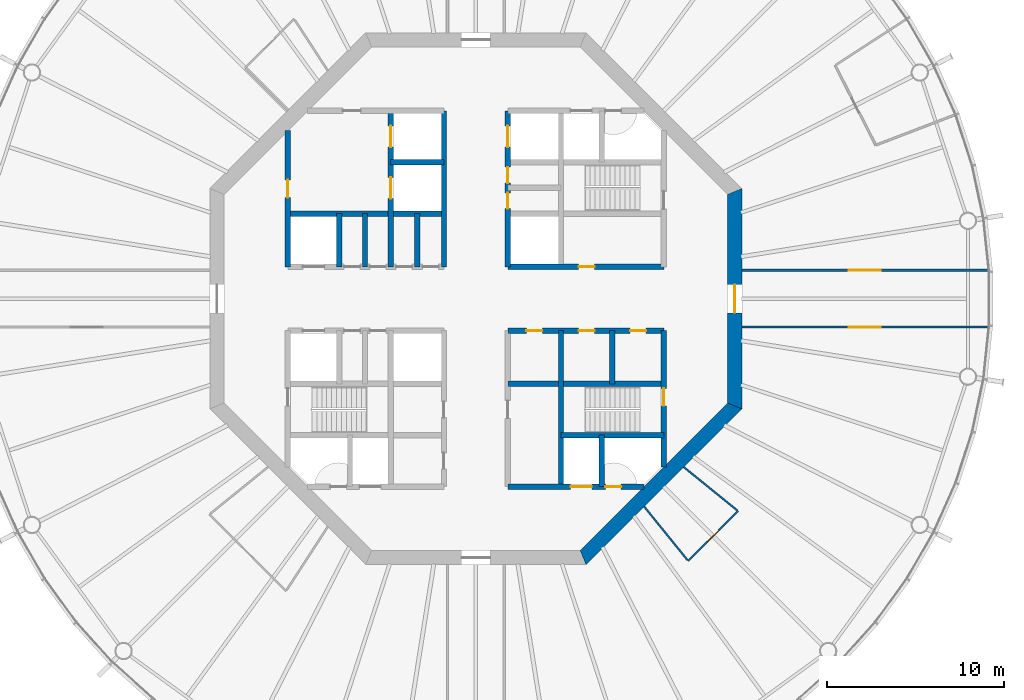
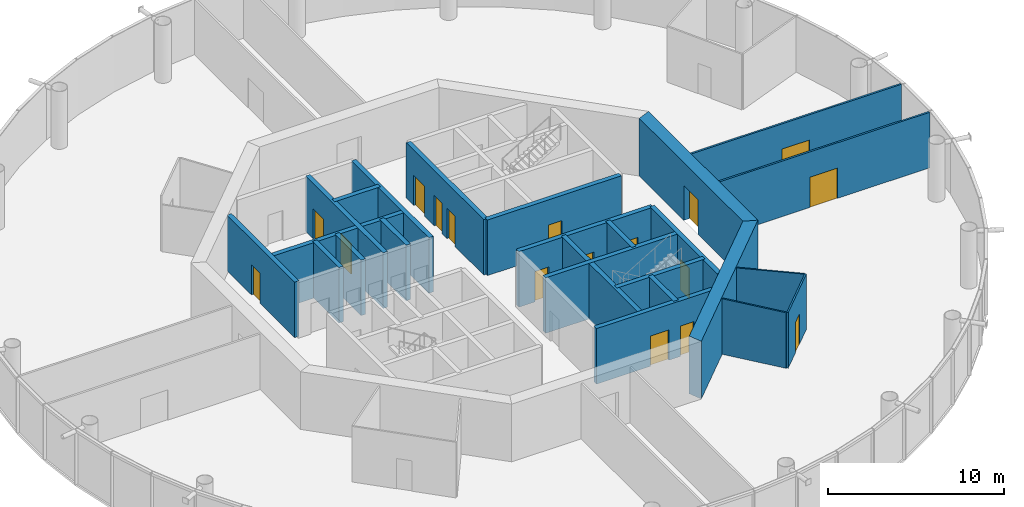
# One storey, part 4 of 16: 25 walls, 17 doors, 17 openings.
"""IFC4 building model written with IfcOpenShell, lengths in metres."""

from ifc_helpers import new_model, si_unit, direction, frame, frame_2d, origin, place, context, subcontext, project, spatial, polyline, rectangle, outline, extrude, material, layer, layer_set, type_object, element, fill, save


model = new_model("IFC4")

# Units and contexts
model_context = context("Model", 3, precision=1e-05, world=origin(), true_north=direction((0.0, 1.0)))
body_context = subcontext(model_context, "Body", "Model", "MODEL_VIEW")
ifc_project = project(units=[si_unit("LENGTHUNIT", "METRE"), si_unit("AREAUNIT", "SQUARE_METRE"), si_unit("VOLUMEUNIT", "CUBIC_METRE"), si_unit("PLANEANGLEUNIT", "RADIAN"), si_unit("MASSUNIT", "GRAM", prefix="KILO")], contexts=[model_context])

# Site, building, storey
site_placement = place(None, origin())
site = spatial("IfcSite", under=ifc_project, at=site_placement, CompositionType="ELEMENT")
building_placement = place(site_placement, origin())
building = spatial("IfcBuilding", under=site, at=building_placement, Name="Entoto Ring Tower", CompositionType="ELEMENT")
storey_placement = place(building_placement, frame((0.0, 0.0, 326.0)))
storey = spatial("IfcBuildingStorey", under=building, at=storey_placement, Name="L75", CompositionType="ELEMENT", Elevation=326.0)

# Wall, opening, door
ifc_material_1 = material(Name="Concrete C40/50", Category="concrete")
ifc_layer_1 = layer(ifc_material_1, 0.300048828125)
ifc_layer_set_1 = layer_set([ifc_layer_1], Name="Concrete C40/50")
wall_type_1 = type_object("IfcWallType", Name="Core enclosure wall 300 mm reinforced concrete", PredefinedType="SOLIDWALL", material=ifc_layer_set_1)
wall_1_placement = place(storey_placement, frame((100.60009765625, 70.518310546875, 0.0), z_axis=(0.0, 0.0, 1.0), x_axis=(0.0, 1.0, 0.0)))
wall_1 = element("IfcWall", 1, at=wall_1_placement, inside=storey, type_object=wall_type_1, Name="wall-L75-001", PredefinedType="SOLIDWALL", context=body_context, shape_type="SweptSolid", body=[
    extrude(rectangle(XDim=7.681640625, YDim=0.300048828125, at=frame_2d((3.8408203125, 0.0))), origin(), (0.0, 0.0, 1.0), 3.85009765625),
])
opening_1_placement = place(wall_1_placement, frame((3.431884765625, 0.0, 0.0)))
opening_1 = element("IfcOpeningElement", 2, at=opening_1_placement, cuts=wall_1, Name="Opening K-28", PredefinedType="OPENING", context=body_context, shape_type="SweptSolid", body=[
    extrude(rectangle(XDim=1.0, YDim=2.10009765625, at=frame_2d((0.5, 1.050048828125))), frame((0.0, 0.16015625, 0.0), z_axis=(0.0, -1.0, 0.0), x_axis=(1.0, 0.0, 0.0)), (0.0, 0.0, 1.0), 0.320068359375),
])
ifc_material_2 = material(Name="Steel door leaf, fire rated", Category="steel")
ifc_layer_2 = layer(ifc_material_2, 0.050048828125)
ifc_layer_set_2 = layer_set([ifc_layer_2], Name="Steel door leaf, fire rated")
door_type_1 = type_object("IfcDoorType", Name="Fire door FD60 1000 x 2100 single leaf", OperationType="NOTDEFINED", PredefinedType="DOOR", material=ifc_layer_set_2)
door_1_placement = place(opening_1_placement, origin())
door_1 = element("IfcDoor", 3, at=door_1_placement, inside=storey, type_object=door_type_1, Name="Door K-28", OperationType="SINGLE_SWING_RIGHT", OverallHeight=2.10009765625, OverallWidth=1.0, PredefinedType="DOOR", context=body_context, shape_type="SweptSolid", body=[
    extrude(rectangle(XDim=1.0, YDim=2.10009765625, at=frame_2d((0.5, 1.050048828125))), frame((0.0, 0.02490234375, 0.0), z_axis=(0.0, -1.0, 0.0), x_axis=(1.0, 0.0, 0.0)), (0.0, 0.0, 1.0), 0.050048828125),
])
fill(opening_1, door_1)

# Walls
wall_2_placement = place(storey_placement, frame((97.699951171875, 75.199951171875, 0.0), z_axis=(0.0, 0.0, 1.0), x_axis=(0.0, 1.0, 0.0)))
element("IfcWall", 4, at=wall_2_placement, inside=storey, type_object=wall_type_1, Name="wall-L75-003", PredefinedType="SOLIDWALL", context=body_context, shape_type="SweptSolid", body=[
    extrude(rectangle(XDim=3.0, YDim=0.300048828125, at=frame_2d((1.5, 0.0))), origin(), (0.0, 0.0, 1.0), 3.85009765625),
])
wall_3_placement = place(storey_placement, frame((97.10009765625, 69.39990234375, 0.0), z_axis=(0.0, 0.0, 1.0), x_axis=(0.0, 1.0, 0.0)))
element("IfcWall", 5, at=wall_3_placement, inside=storey, type_object=wall_type_1, Name="wall-L75-004", PredefinedType="SOLIDWALL", context=body_context, shape_type="SweptSolid", body=[
    extrude(rectangle(XDim=2.900146484375, YDim=0.300048828125, at=frame_2d((1.4501953125, 0.0))), origin(), (0.0, 0.0, 1.0), 3.85009765625),
])
wall_4_placement = place(storey_placement, frame((94.800048828125, 69.39990234375, 0.0), z_axis=(0.0, 0.0, 1.0), x_axis=(0.0, 1.0, 0.0)))
element("IfcWall", 6, at=wall_4_placement, inside=storey, type_object=wall_type_1, Name="wall-L75-006", PredefinedType="SOLIDWALL", context=body_context, shape_type="SweptSolid", body=[
    extrude(rectangle(XDim=8.800048828125, YDim=0.300048828125, at=frame_2d((4.39990234375, 0.0))), origin(), (0.0, 0.0, 1.0), 3.85009765625),
])

# Wall, openings, doors
wall_5_placement = place(storey_placement, frame((91.800048828125, 81.800048828125, 0.0), z_axis=(0.0, 0.0, 1.0), x_axis=(0.0, 1.0, 0.0)))
wall_5 = element("IfcWall", 7, at=wall_5_placement, inside=storey, type_object=wall_type_1, Name="wall-L75-009", PredefinedType="SOLIDWALL", context=body_context, shape_type="SweptSolid", body=[
    extrude(rectangle(XDim=8.800048828125, YDim=0.300048828125, at=frame_2d((4.39990234375, 0.0))), origin(), (0.0, 0.0, 1.0), 3.85009765625),
])
opening_2_placement = place(wall_5_placement, frame((6.75, 0.0, 0.0)))
opening_2 = element("IfcOpeningElement", 8, at=opening_2_placement, cuts=wall_5, Name="Opening LD", PredefinedType="OPENING", context=body_context, shape_type="SweptSolid", body=[
    extrude(rectangle(XDim=1.199951171875, YDim=2.10009765625, at=frame_2d((0.60009765625, 1.050048828125))), frame((0.0, 0.16015625, 0.0), z_axis=(0.0, -1.0, 0.0), x_axis=(1.0, 0.0, 0.0)), (0.0, 0.0, 1.0), 0.320068359375),
])
opening_3_placement = place(wall_5_placement, frame((3.27490234375, 0.0, 0.0)))
opening_3 = element("IfcOpeningElement", 9, at=opening_3_placement, cuts=wall_5, Name="Opening K-18", PredefinedType="OPENING", context=body_context, shape_type="SweptSolid", body=[
    extrude(rectangle(XDim=0.89990234375, YDim=2.10009765625, at=frame_2d((0.449951171875, 1.050048828125))), frame((0.0, 0.16015625, 0.0), z_axis=(0.0, -1.0, 0.0), x_axis=(1.0, 0.0, 0.0)), (0.0, 0.0, 1.0), 0.320068359375),
])
opening_4_placement = place(wall_5_placement, frame((4.72509765625, 0.0, 0.0)))
opening_4 = element("IfcOpeningElement", 10, at=opening_4_placement, cuts=wall_5, Name="Opening K-19", PredefinedType="OPENING", context=body_context, shape_type="SweptSolid", body=[
    extrude(rectangle(XDim=0.89990234375, YDim=2.10009765625, at=frame_2d((0.449951171875, 1.050048828125))), frame((0.0, 0.16015625, 0.0), z_axis=(0.0, -1.0, 0.0), x_axis=(1.0, 0.0, 0.0)), (0.0, 0.0, 1.0), 0.320068359375),
])
ifc_material_3 = material(Name="Steel door leaf, fire rated", Category="steel")
ifc_layer_3 = layer(ifc_material_3, 0.050048828125)
ifc_layer_set_3 = layer_set([ifc_layer_3], Name="Steel door leaf, fire rated")
door_type_2 = type_object("IfcDoorType", Name="Core door 900 x 2100 single leaf", OperationType="NOTDEFINED", PredefinedType="DOOR", material=ifc_layer_set_3)
door_2_placement = place(opening_3_placement, frame((0.89990234375, 0.0, 0.0), z_axis=(0.0, 0.0, 1.0), x_axis=(-1.0, 0.0, 0.0)))
door_2 = element("IfcDoor", 11, at=door_2_placement, inside=storey, type_object=door_type_2, Name="Door K-18", OperationType="SINGLE_SWING_LEFT", OverallHeight=2.10009765625, OverallWidth=0.89990234375, PredefinedType="DOOR", context=body_context, shape_type="SweptSolid", body=[
    extrude(rectangle(XDim=0.89990234375, YDim=2.10009765625, at=frame_2d((0.449951171875, 1.050048828125))), frame((0.0, 0.02490234375, 0.0), z_axis=(0.0, -1.0, 0.0), x_axis=(1.0, 0.0, 0.0)), (0.0, 0.0, 1.0), 0.050048828125),
])
fill(opening_3, door_2)
door_3_placement = place(opening_4_placement, frame((0.89990234375, 0.0, 0.0), z_axis=(0.0, 0.0, 1.0), x_axis=(-1.0, 0.0, 0.0)))
door_3 = element("IfcDoor", 12, at=door_3_placement, inside=storey, type_object=door_type_2, Name="Door K-19", OperationType="SINGLE_SWING_RIGHT", OverallHeight=2.10009765625, OverallWidth=0.89990234375, PredefinedType="DOOR", context=body_context, shape_type="SweptSolid", body=[
    extrude(rectangle(XDim=0.89990234375, YDim=2.10009765625, at=frame_2d((0.449951171875, 1.050048828125))), frame((0.0, 0.02490234375, 0.0), z_axis=(0.0, -1.0, 0.0), x_axis=(1.0, 0.0, 0.0)), (0.0, 0.0, 1.0), 0.050048828125),
])
fill(opening_4, door_3)
ifc_material_4 = material(Name="Steel and glass door leaf", Category="steel")
ifc_layer_4 = layer(ifc_material_4, 0.050048828125)
ifc_layer_set_4 = layer_set([ifc_layer_4], Name="Steel and glass door leaf")
door_type_3 = type_object("IfcDoorType", Name="Landing door 1200 x 2100 sliding", OperationType="DOUBLE_DOOR_SLIDING", PredefinedType="DOOR", material=ifc_layer_set_4)
door_4_placement = place(opening_2_placement, origin())
door_4 = element("IfcDoor", 13, at=door_4_placement, inside=storey, type_object=door_type_3, Name="Landing door SH3", OperationType="SLIDING_TO_RIGHT", OverallHeight=2.10009765625, OverallWidth=1.199951171875, PredefinedType="DOOR", context=body_context, shape_type="SweptSolid", body=[
    extrude(rectangle(XDim=1.199951171875, YDim=2.10009765625, at=frame_2d((0.60009765625, 1.050048828125))), frame((0.0, 0.02490234375, 0.0), z_axis=(0.0, -1.0, 0.0), x_axis=(1.0, 0.0, 0.0)), (0.0, 0.0, 1.0), 0.050048828125),
])
fill(opening_2, door_4)

# Walls
wall_6_placement = place(storey_placement, frame((88.199951171875, 81.800048828125, 0.0), z_axis=(0.0, 0.0, 1.0), x_axis=(0.0, 1.0, 0.0)))
element("IfcWall", 14, at=wall_6_placement, inside=storey, type_object=wall_type_1, Name="wall-L75-011", PredefinedType="SOLIDWALL", context=body_context, shape_type="SweptSolid", body=[
    extrude(rectangle(XDim=8.800048828125, YDim=0.300048828125, at=frame_2d((4.39990234375, 0.0))), origin(), (0.0, 0.0, 1.0), 3.85009765625),
])
wall_7_placement = place(storey_placement, frame((86.699951171875, 81.800048828125, 0.0), z_axis=(0.0, 0.0, 1.0), x_axis=(0.0, 1.0, 0.0)))
element("IfcWall", 15, at=wall_7_placement, inside=storey, type_object=wall_type_1, Name="wall-L75-012", PredefinedType="SOLIDWALL", context=body_context, shape_type="SweptSolid", body=[
    extrude(rectangle(XDim=3.0, YDim=0.300048828125, at=frame_2d((1.5, 0.0))), origin(), (0.0, 0.0, 1.0), 3.85009765625),
])

# Wall, openings, doors
wall_8_placement = place(storey_placement, frame((85.199951171875, 81.800048828125, 0.0), z_axis=(0.0, 0.0, 1.0), x_axis=(0.0, 1.0, 0.0)))
wall_8 = element("IfcWall", 16, at=wall_8_placement, inside=storey, type_object=wall_type_1, Name="wall-L75-014", PredefinedType="SOLIDWALL", context=body_context, shape_type="SweptSolid", body=[
    extrude(rectangle(XDim=8.800048828125, YDim=0.300048828125, at=frame_2d((4.39990234375, 0.0))), origin(), (0.0, 0.0, 1.0), 3.85009765625),
])
opening_5_placement = place(wall_8_placement, frame((3.85009765625, 0.0, 0.0)))
opening_5 = element("IfcOpeningElement", 17, at=opening_5_placement, cuts=wall_8, Name="Opening LD", PredefinedType="OPENING", context=body_context, shape_type="SweptSolid", body=[
    extrude(rectangle(XDim=1.199951171875, YDim=2.10009765625, at=frame_2d((0.60009765625, 1.050048828125))), frame((0.0, 0.16015625, 0.0), z_axis=(0.0, -1.0, 0.0), x_axis=(1.0, 0.0, 0.0)), (0.0, 0.0, 1.0), 0.320068359375),
])
opening_6_placement = place(wall_8_placement, frame((6.75, 0.0, 0.0)))
opening_6 = element("IfcOpeningElement", 18, at=opening_6_placement, cuts=wall_8, Name="Opening LD", PredefinedType="OPENING", context=body_context, shape_type="SweptSolid", body=[
    extrude(rectangle(XDim=1.199951171875, YDim=2.10009765625, at=frame_2d((0.60009765625, 1.050048828125))), frame((0.0, 0.16015625, 0.0), z_axis=(0.0, -1.0, 0.0), x_axis=(1.0, 0.0, 0.0)), (0.0, 0.0, 1.0), 0.320068359375),
])
door_5_placement = place(opening_5_placement, origin())
door_5 = element("IfcDoor", 19, at=door_5_placement, inside=storey, type_object=door_type_3, Name="Landing door FF1", OperationType="SLIDING_TO_RIGHT", OverallHeight=2.10009765625, OverallWidth=1.199951171875, PredefinedType="DOOR", context=body_context, shape_type="SweptSolid", body=[
    extrude(rectangle(XDim=1.199951171875, YDim=2.10009765625, at=frame_2d((0.60009765625, 1.050048828125))), frame((0.0, 0.02490234375, 0.0), z_axis=(0.0, -1.0, 0.0), x_axis=(1.0, 0.0, 0.0)), (0.0, 0.0, 1.0), 0.050048828125),
])
fill(opening_5, door_5)
door_6_placement = place(opening_6_placement, origin())
door_6 = element("IfcDoor", 20, at=door_6_placement, inside=storey, type_object=door_type_3, Name="Landing door FF2", OperationType="SLIDING_TO_RIGHT", OverallHeight=2.10009765625, OverallWidth=1.199951171875, PredefinedType="DOOR", context=body_context, shape_type="SweptSolid", body=[
    extrude(rectangle(XDim=1.199951171875, YDim=2.10009765625, at=frame_2d((0.60009765625, 1.050048828125))), frame((0.0, 0.02490234375, 0.0), z_axis=(0.0, -1.0, 0.0), x_axis=(1.0, 0.0, 0.0)), (0.0, 0.0, 1.0), 0.050048828125),
])
fill(opening_6, door_6)

# Walls
for number, where, z_axis, x_axis, name in (
    (21, (83.75, 81.800048828125, 0.0), (0.0, 0.0, 1.0), (0.0, 1.0, 0.0), "wall-L75-016"),
    (22, (82.300048828125, 81.800048828125, 0.0), (0.0, 0.0, 1.0), (0.0, 1.0, 0.0), "wall-L75-019"),
):
    element("IfcWall", number, at=place(storey_placement, frame(where, z_axis=z_axis, x_axis=x_axis)), inside=storey, type_object=wall_type_1, Name=name, PredefinedType="SOLIDWALL", context=body_context, shape_type="SweptSolid", body=[
        extrude(rectangle(XDim=3.0, YDim=0.300048828125, at=frame_2d((1.5, 0.0))), origin(), (0.0, 0.0, 1.0), 3.85009765625),
    ])

# Wall, opening, door
wall_9_placement = place(storey_placement, frame((79.39990234375, 81.800048828125, 0.0), z_axis=(0.0, 0.0, 1.0), x_axis=(0.0, 1.0, 0.0)))
wall_9 = element("IfcWall", 23, at=wall_9_placement, inside=storey, type_object=wall_type_1, Name="wall-L75-021", PredefinedType="SOLIDWALL", context=body_context, shape_type="SweptSolid", body=[
    extrude(rectangle(XDim=7.681640625, YDim=0.300048828125, at=frame_2d((3.8408203125, 0.0))), origin(), (0.0, 0.0, 1.0), 3.85009765625),
])
opening_7_placement = place(wall_9_placement, frame((3.89990234375, 0.0, 0.0)))
opening_7 = element("IfcOpeningElement", 24, at=opening_7_placement, cuts=wall_9, Name="Opening K-86", PredefinedType="OPENING", context=body_context, shape_type="SweptSolid", body=[
    extrude(rectangle(XDim=1.0, YDim=2.10009765625, at=frame_2d((0.5, 1.050048828125))), frame((0.0, 0.16015625, 0.0), z_axis=(0.0, -1.0, 0.0), x_axis=(1.0, 0.0, 0.0)), (0.0, 0.0, 1.0), 0.320068359375),
])
door_7_placement = place(opening_7_placement, frame((1.0, 0.0, 0.0), z_axis=(0.0, 0.0, 1.0), x_axis=(-1.0, 0.0, 0.0)))
door_7 = element("IfcDoor", 25, at=door_7_placement, inside=storey, type_object=door_type_1, Name="Door K-86", OperationType="SINGLE_SWING_RIGHT", OverallHeight=2.10009765625, OverallWidth=1.0, PredefinedType="DOOR", context=body_context, shape_type="SweptSolid", body=[
    extrude(rectangle(XDim=1.0, YDim=2.10009765625, at=frame_2d((0.5, 1.050048828125))), frame((0.0, 0.02490234375, 0.0), z_axis=(0.0, -1.0, 0.0), x_axis=(1.0, 0.0, 0.0)), (0.0, 0.0, 1.0), 0.050048828125),
])
fill(opening_7, door_7)

# Wall, openings, doors
wall_10_placement = place(storey_placement, frame((91.800048828125, 69.39990234375, 0.0), z_axis=(0.0, 0.0, 1.0), x_axis=(1.0, 0.0, 0.0)))
wall_10 = element("IfcWall", 26, at=wall_10_placement, inside=storey, type_object=wall_type_1, Name="wall-L75-023", PredefinedType="SOLIDWALL", context=body_context, shape_type="SweptSolid", body=[
    extrude(rectangle(XDim=7.681640625, YDim=0.300048828125, at=frame_2d((3.8408203125, 0.0))), origin(), (0.0, 0.0, 1.0), 3.85009765625),
])
opening_8_placement = place(wall_10_placement, frame((3.550048828125, 0.0, 0.0)))
opening_8 = element("IfcOpeningElement", 27, at=opening_8_placement, cuts=wall_10, Name="Opening LD", PredefinedType="OPENING", context=body_context, shape_type="SweptSolid", body=[
    extrude(rectangle(XDim=1.199951171875, YDim=2.10009765625, at=frame_2d((0.60009765625, 1.050048828125))), frame((0.0, 0.16015625, 0.0), z_axis=(0.0, -1.0, 0.0), x_axis=(1.0, 0.0, 0.0)), (0.0, 0.0, 1.0), 0.320068359375),
])
opening_9_placement = place(wall_10_placement, frame((5.5, 0.0, 0.0)))
opening_9 = element("IfcOpeningElement", 28, at=opening_9_placement, cuts=wall_10, Name="Opening K-85", PredefinedType="OPENING", context=body_context, shape_type="SweptSolid", body=[
    extrude(rectangle(XDim=0.89990234375, YDim=2.10009765625, at=frame_2d((0.449951171875, 1.050048828125))), frame((0.0, 0.16015625, 0.0), z_axis=(0.0, -1.0, 0.0), x_axis=(1.0, 0.0, 0.0)), (0.0, 0.0, 1.0), 0.320068359375),
])
door_8_placement = place(opening_8_placement, origin())
door_8 = element("IfcDoor", 29, at=door_8_placement, inside=storey, type_object=door_type_3, Name="Landing door LB2-HR", OperationType="SLIDING_TO_RIGHT", OverallHeight=2.10009765625, OverallWidth=1.199951171875, PredefinedType="DOOR", context=body_context, shape_type="SweptSolid", body=[
    extrude(rectangle(XDim=1.199951171875, YDim=2.10009765625, at=frame_2d((0.60009765625, 1.050048828125))), frame((0.0, 0.02490234375, 0.0), z_axis=(0.0, -1.0, 0.0), x_axis=(1.0, 0.0, 0.0)), (0.0, 0.0, 1.0), 0.050048828125),
])
fill(opening_8, door_8)
ifc_material_5 = material(Name="Steel door leaf, fire rated", Category="steel")
ifc_layer_5 = layer(ifc_material_5, 0.050048828125)
ifc_layer_set_5 = layer_set([ifc_layer_5], Name="Steel door leaf, fire rated")
door_type_4 = type_object("IfcDoorType", Name="Riser door FD60 900 x 2100 single leaf", OperationType="NOTDEFINED", PredefinedType="DOOR", material=ifc_layer_set_5)
door_9_placement = place(opening_9_placement, origin())
door_9 = element("IfcDoor", 30, at=door_9_placement, inside=storey, type_object=door_type_4, Name="Door K-85", OperationType="SINGLE_SWING_LEFT", OverallHeight=2.10009765625, OverallWidth=0.89990234375, PredefinedType="DOOR", context=body_context, shape_type="SweptSolid", body=[
    extrude(rectangle(XDim=0.89990234375, YDim=2.10009765625, at=frame_2d((0.449951171875, 1.050048828125))), frame((0.0, 0.02490234375, 0.0), z_axis=(0.0, -1.0, 0.0), x_axis=(1.0, 0.0, 0.0)), (0.0, 0.0, 1.0), 0.050048828125),
])
fill(opening_9, door_9)

# Walls
wall_11_placement = place(storey_placement, frame((94.800048828125, 72.300048828125, 0.0), z_axis=(0.0, 0.0, 1.0), x_axis=(1.0, 0.0, 0.0)))
element("IfcWall", 31, at=wall_11_placement, inside=storey, type_object=wall_type_1, Name="wall-L75-025", PredefinedType="SOLIDWALL", context=body_context, shape_type="SweptSolid", body=[
    extrude(rectangle(XDim=5.800048828125, YDim=0.300048828125, at=frame_2d((2.89990234375, 0.0))), origin(), (0.0, 0.0, 1.0), 3.85009765625),
])
wall_12_placement = place(storey_placement, frame((91.800048828125, 75.199951171875, 0.0), z_axis=(0.0, 0.0, 1.0), x_axis=(1.0, 0.0, 0.0)))
element("IfcWall", 32, at=wall_12_placement, inside=storey, type_object=wall_type_1, Name="wall-L75-027", PredefinedType="SOLIDWALL", context=body_context, shape_type="SweptSolid", body=[
    extrude(rectangle(XDim=8.800048828125, YDim=0.300048828125, at=frame_2d((4.39990234375, 0.0))), origin(), (0.0, 0.0, 1.0), 3.85009765625),
])

# Wall, openings, doors
wall_13_placement = place(storey_placement, frame((91.800048828125, 78.199951171875, 0.0), z_axis=(0.0, 0.0, 1.0), x_axis=(1.0, 0.0, 0.0)))
wall_13 = element("IfcWall", 33, at=wall_13_placement, inside=storey, type_object=wall_type_1, Name="wall-L75-029", PredefinedType="SOLIDWALL", context=body_context, shape_type="SweptSolid", body=[
    extrude(rectangle(XDim=8.800048828125, YDim=0.300048828125, at=frame_2d((4.39990234375, 0.0))), origin(), (0.0, 0.0, 1.0), 3.85009765625),
])
opening_10_placement = place(wall_13_placement, frame((4.0, 0.0, 0.0)))
opening_10 = element("IfcOpeningElement", 34, at=opening_10_placement, cuts=wall_13, Name="Opening K-14", PredefinedType="OPENING", context=body_context, shape_type="SweptSolid", body=[
    extrude(rectangle(XDim=0.89990234375, YDim=2.10009765625, at=frame_2d((0.449951171875, 1.050048828125))), frame((0.0, 0.16015625, 0.0), z_axis=(0.0, -1.0, 0.0), x_axis=(1.0, 0.0, 0.0)), (0.0, 0.0, 1.0), 0.320068359375),
])
opening_11_placement = place(wall_13_placement, frame((6.89990234375, 0.0, 0.0)))
opening_11 = element("IfcOpeningElement", 35, at=opening_11_placement, cuts=wall_13, Name="Opening K-15", PredefinedType="OPENING", context=body_context, shape_type="SweptSolid", body=[
    extrude(rectangle(XDim=0.89990234375, YDim=2.10009765625, at=frame_2d((0.449951171875, 1.050048828125))), frame((0.0, 0.16015625, 0.0), z_axis=(0.0, -1.0, 0.0), x_axis=(1.0, 0.0, 0.0)), (0.0, 0.0, 1.0), 0.320068359375),
])
opening_12_placement = place(wall_13_placement, frame((1.050048828125, 0.0, 0.0)))
opening_12 = element("IfcOpeningElement", 36, at=opening_12_placement, cuts=wall_13, Name="Opening K-25", PredefinedType="OPENING", context=body_context, shape_type="SweptSolid", body=[
    extrude(rectangle(XDim=0.89990234375, YDim=2.10009765625, at=frame_2d((0.449951171875, 1.050048828125))), frame((0.0, 0.16015625, 0.0), z_axis=(0.0, -1.0, 0.0), x_axis=(1.0, 0.0, 0.0)), (0.0, 0.0, 1.0), 0.320068359375),
])
door_10_placement = place(opening_10_placement, frame((0.89990234375, 0.0, 0.0), z_axis=(0.0, 0.0, 1.0), x_axis=(-1.0, 0.0, 0.0)))
door_10 = element("IfcDoor", 37, at=door_10_placement, inside=storey, type_object=door_type_2, Name="Door K-14", OperationType="SINGLE_SWING_RIGHT", OverallHeight=2.10009765625, OverallWidth=0.89990234375, PredefinedType="DOOR", context=body_context, shape_type="SweptSolid", body=[
    extrude(rectangle(XDim=0.89990234375, YDim=2.10009765625, at=frame_2d((0.449951171875, 1.050048828125))), frame((0.0, 0.02490234375, 0.0), z_axis=(0.0, -1.0, 0.0), x_axis=(1.0, 0.0, 0.0)), (0.0, 0.0, 1.0), 0.050048828125),
])
fill(opening_10, door_10)
door_11_placement = place(opening_11_placement, frame((0.89990234375, 0.0, 0.0), z_axis=(0.0, 0.0, 1.0), x_axis=(-1.0, 0.0, 0.0)))
door_11 = element("IfcDoor", 38, at=door_11_placement, inside=storey, type_object=door_type_2, Name="Door K-15", OperationType="SINGLE_SWING_LEFT", OverallHeight=2.10009765625, OverallWidth=0.89990234375, PredefinedType="DOOR", context=body_context, shape_type="SweptSolid", body=[
    extrude(rectangle(XDim=0.89990234375, YDim=2.10009765625, at=frame_2d((0.449951171875, 1.050048828125))), frame((0.0, 0.02490234375, 0.0), z_axis=(0.0, -1.0, 0.0), x_axis=(1.0, 0.0, 0.0)), (0.0, 0.0, 1.0), 0.050048828125),
])
fill(opening_11, door_11)
door_12_placement = place(opening_12_placement, frame((0.89990234375, 0.0, 0.0), z_axis=(0.0, 0.0, 1.0), x_axis=(-1.0, 0.0, 0.0)))
door_12 = element("IfcDoor", 39, at=door_12_placement, inside=storey, type_object=door_type_2, Name="Door K-25", OperationType="SINGLE_SWING_RIGHT", OverallHeight=2.10009765625, OverallWidth=0.89990234375, PredefinedType="DOOR", context=body_context, shape_type="SweptSolid", body=[
    extrude(rectangle(XDim=0.89990234375, YDim=2.10009765625, at=frame_2d((0.449951171875, 1.050048828125))), frame((0.0, 0.02490234375, 0.0), z_axis=(0.0, -1.0, 0.0), x_axis=(1.0, 0.0, 0.0)), (0.0, 0.0, 1.0), 0.050048828125),
])
fill(opening_12, door_12)

# Wall, opening, door
wall_14_placement = place(storey_placement, frame((91.800048828125, 81.800048828125, 0.0), z_axis=(0.0, 0.0, 1.0), x_axis=(1.0, 0.0, 0.0)))
wall_14 = element("IfcWall", 40, at=wall_14_placement, inside=storey, type_object=wall_type_1, Name="wall-L75-031", PredefinedType="SOLIDWALL", context=body_context, shape_type="SweptSolid", body=[
    extrude(rectangle(XDim=8.800048828125, YDim=0.300048828125, at=frame_2d((4.39990234375, 0.0))), origin(), (0.0, 0.0, 1.0), 3.85009765625),
])
opening_13_placement = place(wall_14_placement, frame((4.0, 0.0, 0.0)))
opening_13 = element("IfcOpeningElement", 41, at=opening_13_placement, cuts=wall_14, Name="Opening K-11", PredefinedType="OPENING", context=body_context, shape_type="SweptSolid", body=[
    extrude(rectangle(XDim=0.89990234375, YDim=2.10009765625, at=frame_2d((0.449951171875, 1.050048828125))), frame((0.0, 0.16015625, 0.0), z_axis=(0.0, -1.0, 0.0), x_axis=(1.0, 0.0, 0.0)), (0.0, 0.0, 1.0), 0.320068359375),
])
door_13_placement = place(opening_13_placement, origin())
door_13 = element("IfcDoor", 42, at=door_13_placement, inside=storey, type_object=door_type_2, Name="Door K-11", OperationType="SINGLE_SWING_LEFT", OverallHeight=2.10009765625, OverallWidth=0.89990234375, PredefinedType="DOOR", context=body_context, shape_type="SweptSolid", body=[
    extrude(rectangle(XDim=0.89990234375, YDim=2.10009765625, at=frame_2d((0.449951171875, 1.050048828125))), frame((0.0, 0.02490234375, 0.0), z_axis=(0.0, -1.0, 0.0), x_axis=(1.0, 0.0, 0.0)), (0.0, 0.0, 1.0), 0.050048828125),
])
fill(opening_13, door_13)

# Walls
wall_15_placement = place(storey_placement, frame((79.39990234375, 84.800048828125, 0.0), z_axis=(0.0, 0.0, 1.0), x_axis=(1.0, 0.0, 0.0)))
element("IfcWall", 43, at=wall_15_placement, inside=storey, type_object=wall_type_1, Name="wall-L75-032", PredefinedType="SOLIDWALL", context=body_context, shape_type="SweptSolid", body=[
    extrude(rectangle(XDim=8.800048828125, YDim=0.300048828125, at=frame_2d((4.39990234375, 0.0))), origin(), (0.0, 0.0, 1.0), 3.85009765625),
])
wall_16_placement = place(storey_placement, frame((85.199951171875, 87.699951171875, 0.0), z_axis=(0.0, 0.0, 1.0), x_axis=(1.0, 0.0, 0.0)))
element("IfcWall", 44, at=wall_16_placement, inside=storey, type_object=wall_type_1, Name="wall-L75-035", PredefinedType="SOLIDWALL", context=body_context, shape_type="SweptSolid", body=[
    extrude(rectangle(XDim=3.0, YDim=0.300048828125, at=frame_2d((1.5, 0.0))), origin(), (0.0, 0.0, 1.0), 3.85009765625),
])

# Wall, opening, door
ifc_material_6 = material(Name="Concrete C40/50", Category="concrete")
ifc_layer_6 = layer(ifc_material_6, 0.800048828125)
ifc_layer_set_6 = layer_set([ifc_layer_6], Name="Concrete C40/50")
wall_type_2 = type_object("IfcWallType", Name="Core shear wall 800 mm reinforced concrete C40/50", PredefinedType="SHEAR", material=ifc_layer_set_6)
wall_17_placement = place(storey_placement, frame((104.60009765625, 73.952392578125, 0.0), z_axis=(0.0, 0.0, 1.0), x_axis=(0.0, 1.0, 0.0)))
wall_17 = element("IfcWall", 45, at=wall_17_placement, inside=storey, type_object=wall_type_2, Name="wall-L75-core-0", PredefinedType="SHEAR", context=body_context, shape_type="SweptSolid", body=[
    extrude(outline(polyline([(-0.165771484375, -0.39990234375), (12.260986328125, -0.39990234375), (11.929443359375, 0.39990234375), (0.165771484375, 0.39990234375), (-0.165771484375, -0.39990234375)])), origin(), (0.0, 0.0, 1.0), 4.0),
])
opening_14_placement = place(wall_17_placement, frame((5.24755859375, 0.0, 0.0)))
opening_14 = element("IfcOpeningElement", 46, at=opening_14_placement, cuts=wall_17, Name="Opening K-01", PredefinedType="OPENING", context=body_context, shape_type="SweptSolid", body=[
    extrude(rectangle(XDim=1.60009765625, YDim=2.39990234375, at=frame_2d((0.800048828125, 1.199951171875))), frame((0.0, 0.41015625, 0.0), z_axis=(0.0, -1.0, 0.0), x_axis=(1.0, 0.0, 0.0)), (0.0, 0.0, 1.0), 0.820068359375),
])
ifc_material_7 = material(Name="Steel door leaf, fire rated", Category="steel")
ifc_layer_7 = layer(ifc_material_7, 0.050048828125)
ifc_layer_set_7 = layer_set([ifc_layer_7], Name="Steel door leaf, fire rated")
door_type_5 = type_object("IfcDoorType", Name="Entrance door FD60 1600 x 2400 double leaf", OperationType="DOUBLE_DOOR_SINGLE_SWING", PredefinedType="DOOR", material=ifc_layer_set_7)
door_14_placement = place(opening_14_placement, origin())
door_14 = element("IfcDoor", 47, at=door_14_placement, inside=storey, type_object=door_type_5, Name="Entrance door K-01", OperationType="DOUBLE_DOOR_SINGLE_SWING", OverallHeight=2.39990234375, OverallWidth=1.60009765625, PredefinedType="DOOR", context=body_context, shape_type="SweptSolid", body=[
    extrude(rectangle(XDim=1.60009765625, YDim=2.39990234375, at=frame_2d((0.800048828125, 1.199951171875))), frame((0.0, 0.02490234375, 0.0), z_axis=(0.0, -1.0, 0.0), x_axis=(1.0, 0.0, 0.0)), (0.0, 0.0, 1.0), 0.050048828125),
])
fill(opening_14, door_14)

# Wall
wall_18_placement = place(storey_placement, frame((96.047607421875, 65.39990234375, 0.0), z_axis=(0.0, 0.0, 1.0), x_axis=(0.707106781187, 0.707106781187, 0.0)))
element("IfcWall", 48, at=wall_18_placement, inside=storey, type_object=wall_type_2, Name="wall-L75-core-7", PredefinedType="SHEAR", context=body_context, shape_type="SweptSolid", body=[
    extrude(outline(polyline([(-0.165771484375, -0.39990234375), (12.2607421875, -0.39990234375), (11.92919921875, 0.39990234375), (0.165771484375, 0.39990234375), (-0.165771484375, -0.39990234375)])), origin(), (0.0, 0.0, 1.0), 4.0),
])

# Wall, opening, door
ifc_material_8 = material(Name="Fire-resisting plasterboard on steel studs", Category="steel")
ifc_layer_8 = layer(ifc_material_8, 0.125)
ifc_layer_set_8 = layer_set([ifc_layer_8], Name="Fire-resisting plasterboard on steel studs")
wall_type_3 = type_object("IfcWallType", Name="Corridor wall 125 mm one-hour plasterboard on steel studs", PredefinedType="PARTITIONING", material=ifc_layer_set_8)
wall_19_placement = place(storey_placement, frame((105.0, 78.39990234375, 0.0), z_axis=(0.0, 0.0, 1.0), x_axis=(1.0, 0.0, 0.0)))
wall_19 = element("IfcWall", 49, at=wall_19_placement, inside=storey, type_object=wall_type_3, Name="partition-L75-007", PredefinedType="PARTITIONING", context=body_context, shape_type="SweptSolid", body=[
    extrude(rectangle(XDim=13.891357421875, YDim=0.125, at=frame_2d((6.94580078125, 0.0))), origin(), (0.0, 0.0, 1.0), 3.85009765625),
])
opening_15_placement = place(wall_19_placement, frame((6.045654296875, 0.0, 0.0)))
opening_15 = element("IfcOpeningElement", 50, at=opening_15_placement, cuts=wall_19, Name="Opening A32-D07", PredefinedType="OPENING", context=body_context, shape_type="SweptSolid", body=[
    extrude(rectangle(XDim=1.800048828125, YDim=2.10009765625, at=frame_2d((0.89990234375, 1.050048828125))), frame((0.0, 0.072509765625, 0.0), z_axis=(0.0, -1.0, 0.0), x_axis=(1.0, 0.0, 0.0)), (0.0, 0.0, 1.0), 0.14501953125),
])
ifc_material_9 = material(Name="Fire-resisting timber door set", Category="wood")
door_type_6 = type_object("IfcDoorType", Name="Door 1800 x 2100 double leaf FD30S fire door", OperationType="DOUBLE_DOOR_SINGLE_SWING", PredefinedType="DOOR", material=ifc_material_9)
door_15_placement = place(opening_15_placement, frame((1.800048828125, 0.0, 0.0), z_axis=(0.0, 0.0, 1.0), x_axis=(-1.0, 0.0, 0.0)))
door_15 = element("IfcDoor", 51, at=door_15_placement, inside=storey, type_object=door_type_6, Name="Door A32-D07", OperationType="DOUBLE_DOOR_SINGLE_SWING", OverallHeight=2.10009765625, OverallWidth=1.800048828125, PredefinedType="DOOR", context=body_context, shape_type="SweptSolid", body=[
    extrude(rectangle(XDim=1.800048828125, YDim=2.10009765625, at=frame_2d((0.89990234375, 1.050048828125))), frame((0.0, 0.02490234375, 0.0), z_axis=(0.0, -1.0, 0.0), x_axis=(1.0, 0.0, 0.0)), (0.0, 0.0, 1.0), 0.050048828125),
])
fill(opening_15, door_15)

wall_20_placement = place(storey_placement, frame((105.0, 81.60009765625, 0.0), z_axis=(0.0, 0.0, 1.0), x_axis=(1.0, 0.0, 0.0)))
wall_20 = element("IfcWall", 52, at=wall_20_placement, inside=storey, type_object=wall_type_3, Name="partition-L75-008", PredefinedType="PARTITIONING", context=body_context, shape_type="SweptSolid", body=[
    extrude(rectangle(XDim=13.891357421875, YDim=0.125, at=frame_2d((6.94580078125, 0.0))), origin(), (0.0, 0.0, 1.0), 3.85009765625),
])
opening_16_placement = place(wall_20_placement, frame((6.045654296875, 0.0, 0.0)))
opening_16 = element("IfcOpeningElement", 53, at=opening_16_placement, cuts=wall_20, Name="Opening A32-D01", PredefinedType="OPENING", context=body_context, shape_type="SweptSolid", body=[
    extrude(rectangle(XDim=1.800048828125, YDim=2.10009765625, at=frame_2d((0.89990234375, 1.050048828125))), frame((0.0, 0.072509765625, 0.0), z_axis=(0.0, -1.0, 0.0), x_axis=(1.0, 0.0, 0.0)), (0.0, 0.0, 1.0), 0.14501953125),
])
door_16_placement = place(opening_16_placement, origin())
door_16 = element("IfcDoor", 54, at=door_16_placement, inside=storey, type_object=door_type_6, Name="Door A32-D01", OperationType="DOUBLE_DOOR_SINGLE_SWING", OverallHeight=2.10009765625, OverallWidth=1.800048828125, PredefinedType="DOOR", context=body_context, shape_type="SweptSolid", body=[
    extrude(rectangle(XDim=1.800048828125, YDim=2.10009765625, at=frame_2d((0.89990234375, 1.050048828125))), frame((0.0, 0.02490234375, 0.0), z_axis=(0.0, -1.0, 0.0), x_axis=(1.0, 0.0, 0.0)), (0.0, 0.0, 1.0), 0.050048828125),
])
fill(opening_16, door_16)

ifc_material_10 = material(Name="Plasterboard on steel studs", Category="steel")
ifc_layer_9 = layer(ifc_material_10, 0.10009765625)
ifc_layer_set_9 = layer_set([ifc_layer_9], Name="Plasterboard on steel studs")
wall_type_4 = type_object("IfcWallType", Name="Partition 100 mm plasterboard on steel studs", PredefinedType="PARTITIONING", material=ifc_layer_set_9)
wall_21_placement = place(storey_placement, frame((101.978759765625, 65.20751953125, 0.0), z_axis=(0.0, 0.0, 1.0), x_axis=(0.707106781187, 0.707106781187, 0.0)))
wall_21 = element("IfcWall", 55, at=wall_21_placement, inside=storey, type_object=wall_type_4, Name="partition-L75-015", PredefinedType="PARTITIONING", context=body_context, shape_type="SweptSolid", body=[
    extrude(rectangle(XDim=3.979248046875, YDim=0.10009765625, at=frame_2d((1.98974609375, 0.0))), origin(), (0.0, 0.0, 1.0), 3.85009765625),
])
opening_17_placement = place(wall_21_placement, frame((1.53955078125, 0.0, 0.0)))
opening_17 = element("IfcOpeningElement", 56, at=opening_17_placement, cuts=wall_21, Name="Opening A32-D08", PredefinedType="OPENING", context=body_context, shape_type="SweptSolid", body=[
    extrude(rectangle(XDim=0.89990234375, YDim=2.10009765625, at=frame_2d((0.449951171875, 1.050048828125))), frame((0.0, 0.06005859375, 0.0), z_axis=(0.0, -1.0, 0.0), x_axis=(1.0, 0.0, 0.0)), (0.0, 0.0, 1.0), 0.1201171875),
])
ifc_material_11 = material(Name="Veneered timber door leaf in timber frame", Category="wood")
door_type_7 = type_object("IfcDoorType", Name="Door 900 x 2100 single leaf timber veneer", OperationType="NOTDEFINED", PredefinedType="DOOR", material=ifc_material_11)
door_17_placement = place(opening_17_placement, origin())
door_17 = element("IfcDoor", 57, at=door_17_placement, inside=storey, type_object=door_type_7, Name="Door A32-D08", OperationType="SINGLE_SWING_RIGHT", OverallHeight=2.10009765625, OverallWidth=0.89990234375, PredefinedType="DOOR", context=body_context, shape_type="SweptSolid", body=[
    extrude(rectangle(XDim=0.89990234375, YDim=2.10009765625, at=frame_2d((0.449951171875, 1.050048828125))), frame((0.0, 0.02490234375, 0.0), z_axis=(0.0, -1.0, 0.0), x_axis=(1.0, 0.0, 0.0)), (0.0, 0.0, 1.0), 0.050048828125),
])
fill(opening_17, door_17)

# Walls
for number, where, z_axis, x_axis, name in (
    (58, (101.943603515625, 65.250732421875, 0.0), (0.0, 0.0, 1.0), (-0.629322601997, 0.777144171062, 0.0), "partition-L75-016"),
    (59, (104.749267578125, 68.056396484375, 0.0), (0.0, 0.0, 1.0), (-0.777144171062, 0.629322601997, 0.0), "partition-L75-017"),
):
    element("IfcWall", number, at=place(storey_placement, frame(where, z_axis=z_axis, x_axis=x_axis)), inside=storey, type_object=wall_type_4, Name=name, PredefinedType="PARTITIONING", context=body_context, shape_type="SweptSolid", body=[
        extrude(rectangle(XDim=3.89599609375, YDim=0.10009765625, at=frame_2d((1.947998046875, 0.0))), origin(), (0.0, 0.0, 1.0), 3.85009765625),
    ])

save(model, "model.ifc")
